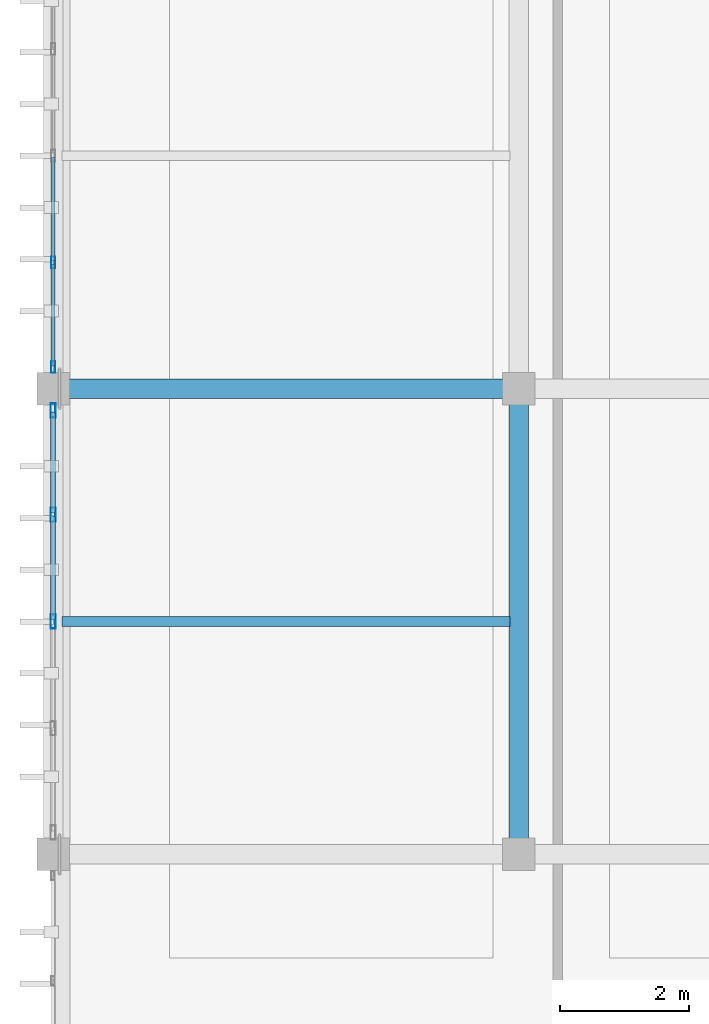
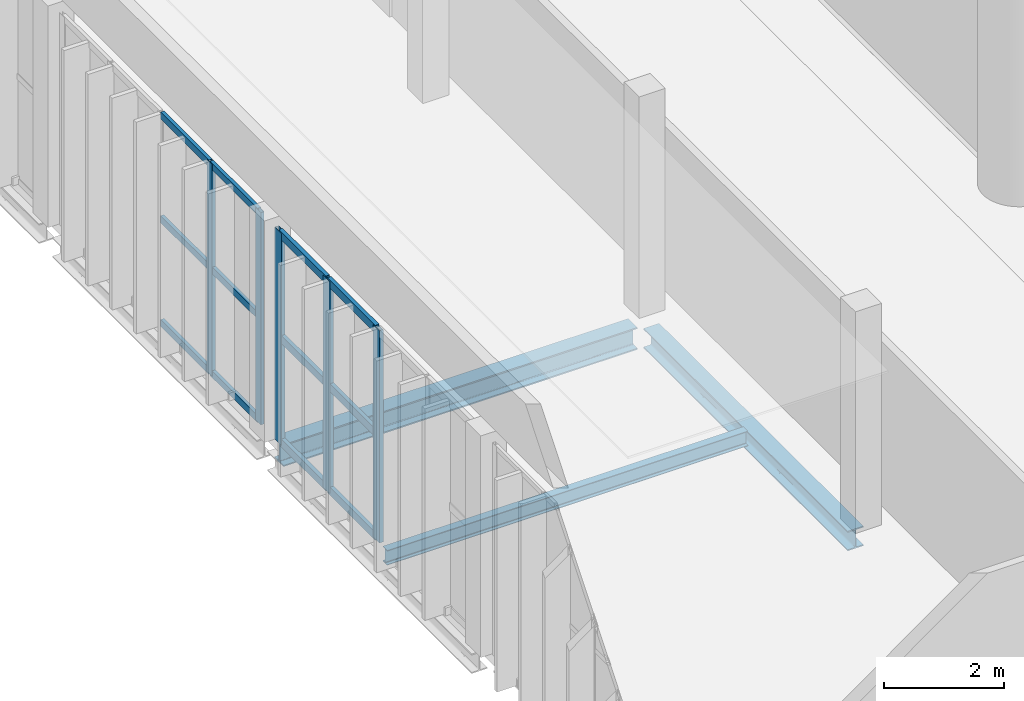
# One storey, part 6 of 64: 17 members, 3 beams, 2 elements without a shape of their own.
"""IFC4 building model written with IfcOpenShell, lengths in metres."""

import ifcopenshell
import ifcopenshell.guid

model = None  # the IFC model being written
_history = None  # IfcOwnerHistory: only IFC2X3 demands one
_inside = {}  # id of a spatial element -> (the spatial element, [elements in it])
_under = {}  # id of a project, library or spatial element -> (it, [spatial elements below it])
_declared = {}  # id of a project -> (the project, [libraries it declares])
_typed = {}  # id of a type object -> (the type object, [elements of that type])
_made_of = {}  # id of a material, layer set ... -> (it, [elements and type objects made of it])


def new_model(schema):
    """Start an empty IFC model of exactly this schema.

    Asked for "IFC4X3", IfcOpenShell would pick the latest addendum, in which some entities
    have other attributes; the version numbers below select the first issue.
    IFC2X3 requires an IfcOwnerHistory on every rooted entity: one is made here for all.
    """
    global model, _history
    if schema == "IFC4X3":
        model = ifcopenshell.file(schema_version=(4, 3, 0, 0))
    else:
        model = ifcopenshell.file(schema=schema)
    _inside.clear()
    _under.clear()
    _declared.clear()
    _typed.clear()
    _made_of.clear()
    _history = None
    if model.schema == "IFC2X3":
        org = make("IfcOrganization", Name="unknown")
        user = make(
            "IfcPersonAndOrganization",
            ThePerson=make("IfcPerson", FamilyName="unknown"),
            TheOrganization=org,
        )
        app = make(
            "IfcApplication",
            ApplicationDeveloper=org,
            Version="unknown",
            ApplicationFullName="unknown",
            ApplicationIdentifier="unknown",
        )
        _history = make(
            "IfcOwnerHistory",
            OwningUser=user,
            OwningApplication=app,
            ChangeAction="ADDED",
            CreationDate=0,
        )
    return model


def make(cls, **values):
    """One entity of the class cls with the attributes given. An attribute that is None is left unset."""
    return model.create_entity(
        cls, **{name: value for name, value in values.items() if value is not None}
    )


def rooted(cls, **values):
    """An entity with a GlobalId (a new one), such as an element, a storey or a relation."""
    return make(cls, GlobalId=ifcopenshell.guid.new(), OwnerHistory=_history, **values)


def si_unit(unit_type, name, prefix=None):
    """IfcSIUnit, for example si_unit("LENGTHUNIT", "METRE", prefix="MILLI")."""
    return make("IfcSIUnit", UnitType=unit_type, Prefix=prefix, Name=name)


def assignment(units):
    """IfcUnitAssignment: the units of a project."""
    return None if units is None else make("IfcUnitAssignment", Units=units)


def point(xyz):
    """IfcCartesianPoint."""
    return None if xyz is None else make("IfcCartesianPoint", Coordinates=xyz)


def direction(xyz):
    """IfcDirection."""
    return None if xyz is None else make("IfcDirection", DirectionRatios=xyz)


def frame(location, z_axis=None, x_axis=None):
    """IfcAxis2Placement3D, a coordinate frame: its origin and axes. An axis left out is left unset."""
    return make(
        "IfcAxis2Placement3D",
        Location=point(location),
        Axis=direction(z_axis),
        RefDirection=direction(x_axis),
    )


def frame_2d(location, x_axis=None):
    """IfcAxis2Placement2D, a coordinate frame in the plane: its origin and x axis."""
    return make(
        "IfcAxis2Placement2D", Location=point(location), RefDirection=direction(x_axis)
    )


def origin():
    """The frame at (0, 0, 0) with its axes left unset."""
    return frame((0.0, 0.0, 0.0))


def origin_2d():
    """The frame at (0, 0) in the plane with its x axis left unset."""
    return frame_2d((0.0, 0.0))


def place(relative_to, where):
    """IfcLocalPlacement: puts the frame where relative to a parent placement (None: the world)."""
    return make(
        "IfcLocalPlacement", PlacementRelTo=relative_to, RelativePlacement=where
    )


def context(
    kind, dimensions, precision=None, world=None, true_north=None, identifier=None
):
    """IfcGeometricRepresentationContext, for example the 3D "Model" context."""
    return make(
        "IfcGeometricRepresentationContext",
        ContextIdentifier=identifier,
        ContextType=kind,
        CoordinateSpaceDimension=dimensions,
        Precision=precision,
        WorldCoordinateSystem=world,
        TrueNorth=true_north,
    )


def subcontext(parent, identifier, kind, view, scale=None):
    """IfcGeometricRepresentationSubContext, for example "Body" below "Model"."""
    return make(
        "IfcGeometricRepresentationSubContext",
        ContextIdentifier=identifier,
        ContextType=kind,
        ParentContext=parent,
        TargetScale=scale,
        TargetView=view,
    )


def project(units=None, contexts=None):
    """IfcProject with its units and contexts."""
    return rooted(
        "IfcProject",
        Name="project",
        RepresentationContexts=contexts,
        UnitsInContext=assignment(units),
    )


def spatial(cls, under=None, at=None, **own):
    """A site, building, storey or space (cls), placed at a placement, below another one or the project."""
    s = rooted(cls, ObjectPlacement=at, **own)
    if under is not None:
        _under.setdefault(under.id(), (under, []))[1].append(s)
    return s


def profile(cls, at=None, kind="AREA", **sizes):
    """A parametric profile (cls). Its sizes go by their IFC names, for example OverallWidth=200.0."""
    return make(cls, ProfileType=kind, Position=at, **sizes)


def hollow_rectangle(**sizes):
    """IfcRectangleHollowProfileDef."""
    return profile("IfcRectangleHollowProfileDef", **sizes)


def i_section(**sizes):
    """IfcIShapeProfileDef."""
    return profile("IfcIShapeProfileDef", **sizes)


def extrude(swept, where, along, depth):
    """IfcExtrudedAreaSolid: the profile swept, set in the frame where, extruded along a direction by depth."""
    return make(
        "IfcExtrudedAreaSolid",
        SweptArea=swept,
        Position=where,
        ExtrudedDirection=direction(along),
        Depth=depth,
    )


def shape(context_of_items, identifier, shape_type, items):
    """IfcShapeRepresentation: the items that make up one representation, for example the "Body"."""
    return make(
        "IfcShapeRepresentation",
        ContextOfItems=context_of_items,
        RepresentationIdentifier=identifier,
        RepresentationType=shape_type,
        Items=items,
    )


def material(Name=None, Category=None):
    """IfcMaterial."""
    return make("IfcMaterial", Name=Name, Category=Category)


def material_profile(
    of_material, cross_section, Name=None, Category=None, Priority=None
):
    """IfcMaterialProfile: a cross section and its material."""
    return make(
        "IfcMaterialProfile",
        Name=Name,
        Material=of_material,
        Profile=cross_section,
        Priority=Priority,
        Category=Category,
    )


def profile_set(profiles, Name=None, composite=None):
    """IfcMaterialProfileSet."""
    return make(
        "IfcMaterialProfileSet",
        Name=Name,
        MaterialProfiles=profiles,
        CompositeProfile=composite,
    )


def made_of(thing, what):
    """Note that an element or type object is made of a material, layer set ...; save() writes the relation."""
    if what is not None:
        _made_of.setdefault(what.id(), (what, []))[1].append(thing)
    return thing


def type_object(cls, material=None, **own):
    """A type object (cls), such as IfcWallType, which elements share."""
    return made_of(rooted(cls, **own), material)


def element(
    cls,
    number,
    at=None,
    inside=None,
    cuts=None,
    type_object=None,
    material=None,
    context=None,
    identifier="Body",
    shape_type=None,
    held_by="IfcProductDefinitionShape",
    body=None,
    shapes=None,
    **own,
):
    """One element of the class cls, such as IfcWall. Its Tag is "e" and its number.

    at: its placement. inside: the storey or other place that contains it. cuts: it is an
    opening in that element (IfcRelVoidsElement). A single representation is given by context,
    identifier, shape_type and body (its items); several are given by shapes. held_by: the class
    of the entity that holds the representations. save() writes the other relations.
    """
    e = rooted(cls, Tag="e%d" % number, ObjectPlacement=at, **own)
    if body is not None:
        shapes = [shape(context, identifier, shape_type, body)]
    if shapes is not None:
        e.Representation = make(held_by, Representations=shapes)
    if inside is not None:
        _inside.setdefault(inside.id(), (inside, []))[1].append(e)
    if cuts is not None:
        rooted(
            "IfcRelVoidsElement", RelatingBuildingElement=cuts, RelatedOpeningElement=e
        )
    if type_object is not None:
        _typed.setdefault(type_object.id(), (type_object, []))[1].append(e)
    return made_of(e, material)


def aggregate(whole, parts):
    """IfcRelAggregates: a whole, such as a stair, and the parts it consists of."""
    return rooted("IfcRelAggregates", RelatingObject=whole, RelatedObjects=parts)


def save(model, path):
    """Write the relations noted so far, then the file.

    IfcRelAggregates (storeys below a building ...), IfcRelContainedInSpatialStructure (elements
    in a storey), IfcRelDefinesByType, IfcRelAssociatesMaterial and IfcRelDeclares: one each for
    every whole, place, type object, material and project.
    """
    for whole, parts in _under.values():
        aggregate(whole, parts)
    for where, things in _inside.values():
        rooted(
            "IfcRelContainedInSpatialStructure",
            RelatedElements=things,
            RelatingStructure=where,
        )
    for kind, things in _typed.values():
        rooted("IfcRelDefinesByType", RelatedObjects=things, RelatingType=kind)
    for what, things in _made_of.values():
        rooted("IfcRelAssociatesMaterial", RelatedObjects=things, RelatingMaterial=what)
    for by, libraries in _declared.values():
        rooted("IfcRelDeclares", RelatingContext=by, RelatedDefinitions=libraries)
    model.write(path)


model = new_model("IFC4")

# Units and contexts
model_context = context("Model", 3, precision=1e-05, world=origin(), true_north=direction((0.0, 1.0)))
body_context = subcontext(model_context, "Body", "Model", "MODEL_VIEW")
ifc_project = project(units=[si_unit("LENGTHUNIT", "METRE"), si_unit("AREAUNIT", "SQUARE_METRE"), si_unit("VOLUMEUNIT", "CUBIC_METRE"), si_unit("PLANEANGLEUNIT", "RADIAN"), si_unit("MASSUNIT", "GRAM", prefix="KILO")], contexts=[model_context])

# Site, building, storey
site_placement = place(None, origin())
site = spatial("IfcSite", under=ifc_project, at=site_placement, CompositionType="ELEMENT")
building_placement = place(site_placement, origin())
building = spatial("IfcBuilding", under=site, at=building_placement, Name="Qandorah Velis Arena", CompositionType="ELEMENT")
storey_placement = place(building_placement, frame((0.0, 0.0, 23.0)))
storey = spatial("IfcBuildingStorey", under=building, at=storey_placement, Name="L05", CompositionType="ELEMENT", Elevation=23.0)

# Curtain wall, members
ifc_material_1 = material(Name="Solar-control low-E double glazing", Category="glass")
curtain_wall_type_1 = type_object("IfcCurtainWallType", Name="ARC-CW-SYS18", PredefinedType="USERDEFINED", material=ifc_material_1)
curtain_wall_1_placement = place(storey_placement, origin())
curtain_wall_1 = element("IfcCurtainWall", 1, at=curtain_wall_1_placement, inside=storey, type_object=curtain_wall_type_1, Name="Unitised curtain wall L05-042", ObjectType="UNITISED CURTAIN WALL", PredefinedType="USERDEFINED")
ifc_material_2 = material(Name="Champagne-bronze anodized aluminium 6063-T6", Category="aluminium")
ifc_material_profile_1 = material_profile(ifc_material_2, hollow_rectangle(XDim=0.06494140625, YDim=0.179931640625, WallThickness=0.00341796875, at=origin_2d()), Name="ALU MULLION 65x180")
ifc_profile_set_1 = profile_set([ifc_material_profile_1], Name="Champagne-bronze anodized aluminium 6063-T6")
member_type_1 = type_object("IfcMemberType", Name="ARC-CWM-180", PredefinedType="MULLION", material=ifc_profile_set_1)
member_1_placement = place(storey_placement, frame((0.0, 29.132568359375, -0.014892578125), z_axis=(0.0, 0.0, 1.0), x_axis=(-1.0, 0.0, 0.0)))
member_1 = element("IfcMember", 2, at=member_1_placement, type_object=member_type_1, Name="CW18 mullion 1", PredefinedType="MULLION", context=body_context, shape_type="SweptSolid", body=[
    extrude(hollow_rectangle(XDim=0.06494140625, YDim=0.179931640625, WallThickness=0.00341796875, at=origin_2d()), origin(), (0.0, 0.0, 1.0), 4.309814453125),
])
member_2_placement = place(storey_placement, frame((0.0, 30.75, -0.014892578125), z_axis=(0.0, 0.0, 1.0), x_axis=(-1.0, 0.0, 0.0)))
member_2 = element("IfcMember", 3, at=member_2_placement, type_object=member_type_1, Name="CW18 mullion 2", PredefinedType="MULLION", context=body_context, shape_type="SweptSolid", body=[
    extrude(hollow_rectangle(XDim=0.06494140625, YDim=0.179931640625, WallThickness=0.00341796875, at=origin_2d()), origin(), (0.0, 0.0, 1.0), 4.309814453125),
])

curtain_wall_type_2 = type_object("IfcCurtainWallType", Name="ARC-CW-SYS17", PredefinedType="USERDEFINED", material=ifc_material_1)
curtain_wall_2_placement = place(storey_placement, origin())
curtain_wall_2 = element("IfcCurtainWall", 4, at=curtain_wall_2_placement, inside=storey, type_object=curtain_wall_type_2, Name="Unitised curtain wall L05-041", ObjectType="UNITISED CURTAIN WALL", PredefinedType="USERDEFINED")
ifc_material_profile_2 = material_profile(ifc_material_2, hollow_rectangle(XDim=0.074951171875, YDim=0.219970703125, WallThickness=0.00390625, at=origin_2d()), Name="ALU MULLION 75x220")
ifc_profile_set_2 = profile_set([ifc_material_profile_2], Name="Champagne-bronze anodized aluminium 6063-T6")
member_type_2 = type_object("IfcMemberType", Name="ARC-CWM-220", PredefinedType="MULLION", material=ifc_profile_set_2)
member_3_placement = place(storey_placement, frame((0.0, 25.199951171875, -0.014892578125), z_axis=(0.0, 0.0, 1.0), x_axis=(-1.0, 0.0, 0.0)))
member_3 = element("IfcMember", 5, at=member_3_placement, type_object=member_type_2, Name="CW17 mullion 3", PredefinedType="MULLION", context=body_context, shape_type="SweptSolid", body=[
    extrude(hollow_rectangle(XDim=0.074951171875, YDim=0.219970703125, WallThickness=0.00390625, at=origin_2d()), origin(), (0.0, 0.0, 1.0), 4.309814453125),
])
member_4_placement = place(storey_placement, frame((0.0, 26.85009765625, -0.014892578125), z_axis=(0.0, 0.0, 1.0), x_axis=(-1.0, 0.0, 0.0)))
member_4 = element("IfcMember", 6, at=member_4_placement, type_object=member_type_2, Name="CW17 mullion 4", PredefinedType="MULLION", context=body_context, shape_type="SweptSolid", body=[
    extrude(hollow_rectangle(XDim=0.074951171875, YDim=0.219970703125, WallThickness=0.00390625, at=origin_2d()), origin(), (0.0, 0.0, 1.0), 4.309814453125),
])
member_5_placement = place(storey_placement, frame((0.0, 28.46240234375, -0.014892578125), z_axis=(0.0, 0.0, 1.0), x_axis=(-1.0, 0.0, 0.0)))
member_5 = element("IfcMember", 7, at=member_5_placement, type_object=member_type_2, Name="CW17 mullion 5", PredefinedType="MULLION", context=body_context, shape_type="SweptSolid", body=[
    extrude(hollow_rectangle(XDim=0.074951171875, YDim=0.219970703125, WallThickness=0.00390625, at=origin_2d()), origin(), (0.0, 0.0, 1.0), 4.309814453125),
])

# Member
ifc_material_profile_3 = material_profile(ifc_material_2, hollow_rectangle(XDim=0.06494140625, YDim=0.139892578125, WallThickness=0.0029296875, at=origin_2d()), Name="ALU TRANSOM 65x140")
ifc_profile_set_3 = profile_set([ifc_material_profile_3], Name="Champagne-bronze anodized aluminium 6063-T6")
member_type_3 = type_object("IfcMemberType", Name="ARC-CWT-140", PredefinedType="USERDEFINED", material=ifc_profile_set_3)
member_6_placement = place(storey_placement, frame((0.0, 29.153076171875, 0.032470703125), z_axis=(0.0, 1.0, 0.0), x_axis=(-1.0, 0.0, 0.0)))
member_6 = element("IfcMember", 8, at=member_6_placement, type_object=member_type_3, Name="CW18 transom 1.1", ObjectType="TRANSOM", PredefinedType="USERDEFINED", context=body_context, shape_type="SweptSolid", body=[
    extrude(hollow_rectangle(XDim=0.06494140625, YDim=0.139892578125, WallThickness=0.0029296875, at=origin_2d()), origin(), (0.0, 0.0, 1.0), 1.576416015625),
])

member_7_placement = place(storey_placement, frame((0.0, 29.153076171875, 2.139892578125), z_axis=(0.0, 1.0, 0.0), x_axis=(-1.0, 0.0, 0.0)))
member_7 = element("IfcMember", 9, at=member_7_placement, type_object=member_type_3, Name="CW18 transom 1.2", ObjectType="TRANSOM", PredefinedType="USERDEFINED", context=body_context, shape_type="SweptSolid", body=[
    extrude(hollow_rectangle(XDim=0.06494140625, YDim=0.139892578125, WallThickness=0.0029296875, at=origin_2d()), origin(), (0.0, 0.0, 1.0), 1.576416015625),
])

member_8_placement = place(storey_placement, frame((0.0, 29.153076171875, 4.24755859375), z_axis=(0.0, 1.0, 0.0), x_axis=(-1.0, 0.0, 0.0)))
member_8 = element("IfcMember", 10, at=member_8_placement, type_object=member_type_3, Name="CW18 transom 1.3", ObjectType="TRANSOM", PredefinedType="USERDEFINED", context=body_context, shape_type="SweptSolid", body=[
    extrude(hollow_rectangle(XDim=0.06494140625, YDim=0.139892578125, WallThickness=0.0029296875, at=origin_2d()), origin(), (0.0, 0.0, 1.0), 1.576416015625),
])

member_9_placement = place(storey_placement, frame((0.0, 30.7705078125, 0.032470703125), z_axis=(0.0, 1.0, 0.0), x_axis=(-1.0, 0.0, 0.0)))
member_9 = element("IfcMember", 11, at=member_9_placement, type_object=member_type_3, Name="CW18 transom 2.1", ObjectType="TRANSOM", PredefinedType="USERDEFINED", context=body_context, shape_type="SweptSolid", body=[
    extrude(hollow_rectangle(XDim=0.06494140625, YDim=0.139892578125, WallThickness=0.0029296875, at=origin_2d()), origin(), (0.0, 0.0, 1.0), 1.60888671875),
])

member_10_placement = place(storey_placement, frame((0.0, 30.7705078125, 2.139892578125), z_axis=(0.0, 1.0, 0.0), x_axis=(-1.0, 0.0, 0.0)))
member_10 = element("IfcMember", 12, at=member_10_placement, type_object=member_type_3, Name="CW18 transom 2.2", ObjectType="TRANSOM", PredefinedType="USERDEFINED", context=body_context, shape_type="SweptSolid", body=[
    extrude(hollow_rectangle(XDim=0.06494140625, YDim=0.139892578125, WallThickness=0.0029296875, at=origin_2d()), origin(), (0.0, 0.0, 1.0), 1.60888671875),
])

member_11_placement = place(storey_placement, frame((0.0, 30.7705078125, 4.24755859375), z_axis=(0.0, 1.0, 0.0), x_axis=(-1.0, 0.0, 0.0)))
member_11 = element("IfcMember", 13, at=member_11_placement, type_object=member_type_3, Name="CW18 transom 2.3", ObjectType="TRANSOM", PredefinedType="USERDEFINED", context=body_context, shape_type="SweptSolid", body=[
    extrude(hollow_rectangle(XDim=0.06494140625, YDim=0.139892578125, WallThickness=0.0029296875, at=origin_2d()), origin(), (0.0, 0.0, 1.0), 1.60888671875),
])

aggregate(curtain_wall_1, [member_1, member_2, member_6, member_7, member_8, member_9, member_10, member_11])

ifc_material_profile_4 = material_profile(ifc_material_2, hollow_rectangle(XDim=0.074951171875, YDim=0.159912109375, WallThickness=0.00341796875, at=origin_2d()), Name="ALU TRANSOM 75x160")
ifc_profile_set_4 = profile_set([ifc_material_profile_4], Name="Champagne-bronze anodized aluminium 6063-T6")
member_type_4 = type_object("IfcMemberType", Name="ARC-CWT-160", PredefinedType="USERDEFINED", material=ifc_profile_set_4)
member_12_placement = place(storey_placement, frame((0.0, 25.2255859375, 0.03759765625), z_axis=(0.0, 1.0, 0.0), x_axis=(-1.0, 0.0, 0.0)))
member_12 = element("IfcMember", 14, at=member_12_placement, type_object=member_type_4, Name="CW17 transom 3.1", ObjectType="TRANSOM", PredefinedType="USERDEFINED", context=body_context, shape_type="SweptSolid", body=[
    extrude(hollow_rectangle(XDim=0.074951171875, YDim=0.159912109375, WallThickness=0.00341796875, at=origin_2d()), origin(), (0.0, 0.0, 1.0), 1.598876953125),
])

member_13_placement = place(storey_placement, frame((0.0, 25.2255859375, 2.139892578125), z_axis=(0.0, 1.0, 0.0), x_axis=(-1.0, 0.0, 0.0)))
member_13 = element("IfcMember", 15, at=member_13_placement, type_object=member_type_4, Name="CW17 transom 3.2", ObjectType="TRANSOM", PredefinedType="USERDEFINED", context=body_context, shape_type="SweptSolid", body=[
    extrude(hollow_rectangle(XDim=0.074951171875, YDim=0.159912109375, WallThickness=0.00341796875, at=origin_2d()), origin(), (0.0, 0.0, 1.0), 1.598876953125),
])

member_14_placement = place(storey_placement, frame((0.0, 25.2255859375, 4.242431640625), z_axis=(0.0, 1.0, 0.0), x_axis=(-1.0, 0.0, 0.0)))
member_14 = element("IfcMember", 16, at=member_14_placement, type_object=member_type_4, Name="CW17 transom 3.3", ObjectType="TRANSOM", PredefinedType="USERDEFINED", context=body_context, shape_type="SweptSolid", body=[
    extrude(hollow_rectangle(XDim=0.074951171875, YDim=0.159912109375, WallThickness=0.00341796875, at=origin_2d()), origin(), (0.0, 0.0, 1.0), 1.598876953125),
])

member_15_placement = place(storey_placement, frame((0.0, 26.87548828125, 0.03759765625), z_axis=(0.0, 1.0, 0.0), x_axis=(-1.0, 0.0, 0.0)))
member_15 = element("IfcMember", 17, at=member_15_placement, type_object=member_type_4, Name="CW17 transom 4.1", ObjectType="TRANSOM", PredefinedType="USERDEFINED", context=body_context, shape_type="SweptSolid", body=[
    extrude(hollow_rectangle(XDim=0.074951171875, YDim=0.159912109375, WallThickness=0.00341796875, at=origin_2d()), origin(), (0.0, 0.0, 1.0), 1.5615234375),
])

member_16_placement = place(storey_placement, frame((0.0, 26.87548828125, 2.139892578125), z_axis=(0.0, 1.0, 0.0), x_axis=(-1.0, 0.0, 0.0)))
member_16 = element("IfcMember", 18, at=member_16_placement, type_object=member_type_4, Name="CW17 transom 4.2", ObjectType="TRANSOM", PredefinedType="USERDEFINED", context=body_context, shape_type="SweptSolid", body=[
    extrude(hollow_rectangle(XDim=0.074951171875, YDim=0.159912109375, WallThickness=0.00341796875, at=origin_2d()), origin(), (0.0, 0.0, 1.0), 1.5615234375),
])

member_17_placement = place(storey_placement, frame((0.0, 26.87548828125, 4.242431640625), z_axis=(0.0, 1.0, 0.0), x_axis=(-1.0, 0.0, 0.0)))
member_17 = element("IfcMember", 19, at=member_17_placement, type_object=member_type_4, Name="CW17 transom 4.3", ObjectType="TRANSOM", PredefinedType="USERDEFINED", context=body_context, shape_type="SweptSolid", body=[
    extrude(hollow_rectangle(XDim=0.074951171875, YDim=0.159912109375, WallThickness=0.00341796875, at=origin_2d()), origin(), (0.0, 0.0, 1.0), 1.5615234375),
])

aggregate(curtain_wall_2, [member_3, member_4, member_5, member_12, member_13, member_14, member_15, member_16, member_17])

# Beams
ifc_material_3 = material(Name="Steel S355", Category="steel")
ifc_material_profile_5 = material_profile(ifc_material_3, i_section(OverallWidth=0.300048828125, OverallDepth=0.39990234375, WebThickness=0.013427734375, FlangeThickness=0.02392578125, FilletRadius=0.027099609375, at=origin_2d()), Name="HEB 400")
ifc_profile_set_5 = profile_set([ifc_material_profile_5], Name="Steel S355")
beam_type_1 = type_object("IfcBeamType", Name="STR-BM-HEB400", PredefinedType="BEAM", material=ifc_profile_set_5)
beam_1_placement = place(storey_placement, frame((7.199951171875, 21.778564453125, -0.449951171875), z_axis=(0.0, 1.0, 0.0), x_axis=(-1.0, 0.0, 0.0)))
element("IfcBeam", 20, at=beam_1_placement, inside=storey, type_object=beam_type_1, Name="Primary floor girder L05 Y-126", PredefinedType="BEAM", context=body_context, shape_type="SweptSolid", body=[
    extrude(i_section(OverallWidth=0.300048828125, OverallDepth=0.39990234375, WebThickness=0.013427734375, FlangeThickness=0.02392578125, FilletRadius=0.027099609375, at=origin_2d()), origin(), (0.0, 0.0, 1.0), 6.79638671875),
])
ifc_material_profile_6 = material_profile(ifc_material_3, i_section(OverallWidth=0.300048828125, OverallDepth=0.449951171875, WebThickness=0.013916015625, FlangeThickness=0.02587890625, FilletRadius=0.027099609375, at=origin_2d()), Name="HEB 450")
ifc_profile_set_6 = profile_set([ifc_material_profile_6], Name="Steel S355")
beam_type_2 = type_object("IfcBeamType", Name="STR-BM-HEB450", PredefinedType="BEAM", material=ifc_profile_set_6)
beam_2_placement = place(storey_placement, frame((0.178466796875, 28.800048828125, -0.47509765625), z_axis=(1.0, 0.0, 0.0), x_axis=(0.0, 1.0, 0.0)))
element("IfcBeam", 21, at=beam_2_placement, inside=storey, type_object=beam_type_2, Name="Primary floor girder L05 X-042", PredefinedType="BEAM", context=body_context, shape_type="SweptSolid", body=[
    extrude(i_section(OverallWidth=0.300048828125, OverallDepth=0.449951171875, WebThickness=0.013916015625, FlangeThickness=0.02587890625, FilletRadius=0.027099609375, at=origin_2d()), origin(), (0.0, 0.0, 1.0), 6.796630859375),
])
ifc_material_profile_7 = material_profile(ifc_material_3, i_section(OverallWidth=0.14990234375, OverallDepth=0.300048828125, WebThickness=0.007080078125, FlangeThickness=0.0107421875, FilletRadius=0.014892578125, at=origin_2d()), Name="IPE 300")
ifc_profile_set_7 = profile_set([ifc_material_profile_7], Name="Steel S355")
beam_type_3 = type_object("IfcBeamType", Name="STR-JST-IPE300", PredefinedType="JOIST", material=ifc_profile_set_7)
beam_3_placement = place(storey_placement, frame((0.135009765625, 25.199951171875, -0.39990234375), z_axis=(1.0, 0.0, 0.0), x_axis=(0.0, 1.0, 0.0)))
element("IfcBeam", 22, at=beam_3_placement, inside=storey, type_object=beam_type_3, Name="Secondary floor joist L05-001", PredefinedType="JOIST", context=body_context, shape_type="SweptSolid", body=[
    extrude(i_section(OverallWidth=0.14990234375, OverallDepth=0.300048828125, WebThickness=0.007080078125, FlangeThickness=0.0107421875, FilletRadius=0.014892578125, at=origin_2d()), origin(), (0.0, 0.0, 1.0), 6.929931640625),
])

save(model, "model.ifc")
